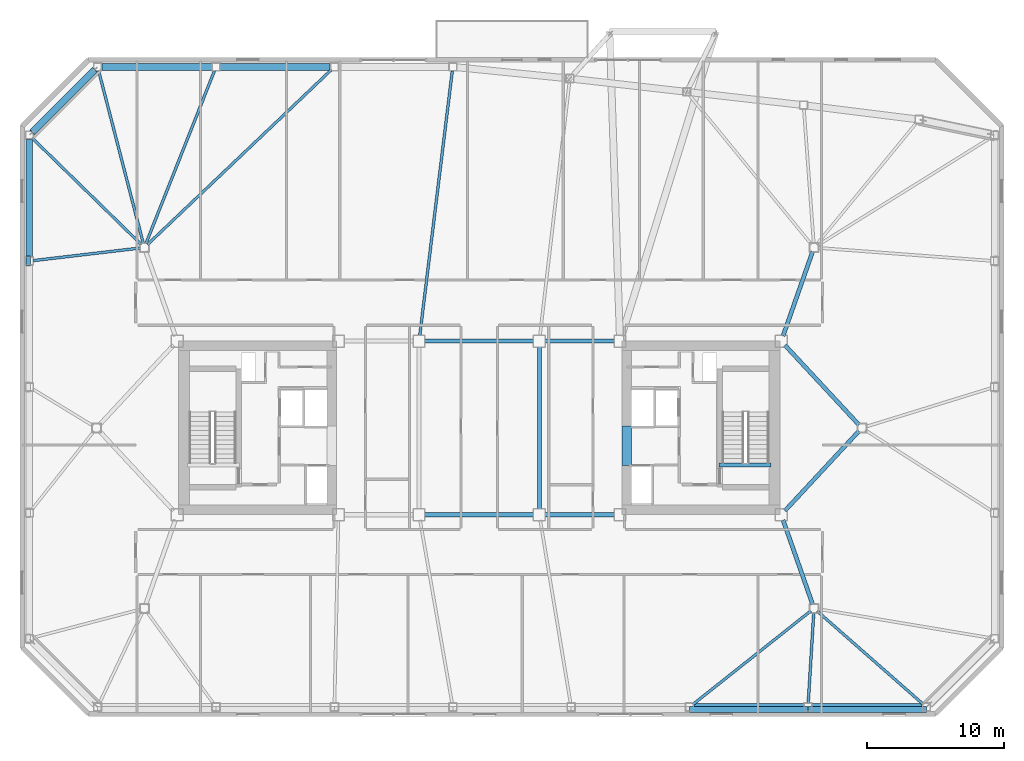
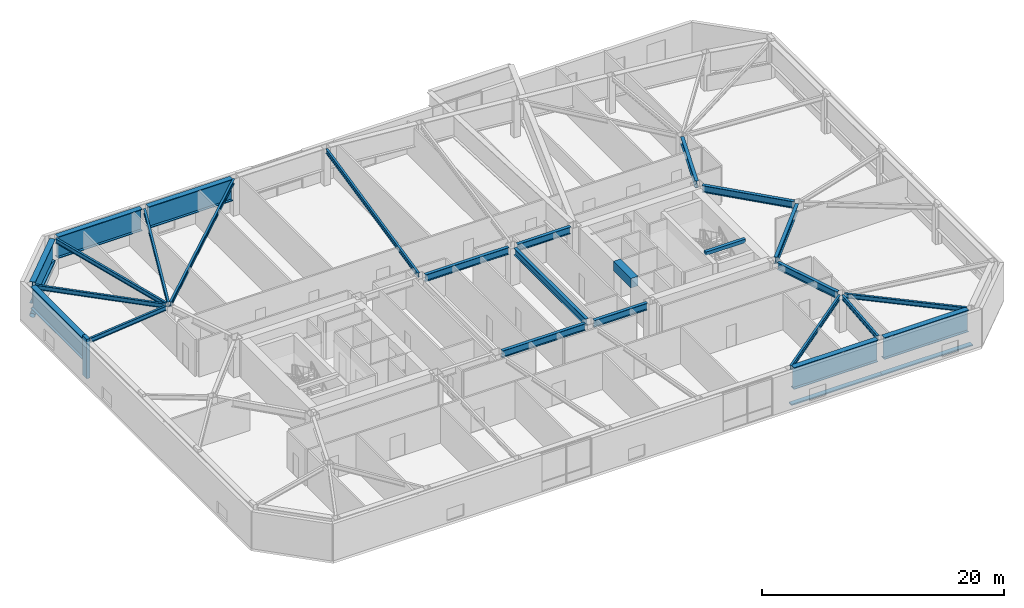
# One storey, part 5 of 19: 26 beams, 4 members.
"""IFC4 building model written with IfcOpenShell, lengths in metres."""

import ifcopenshell
import ifcopenshell.guid

model = None  # the IFC model being written
_history = None  # IfcOwnerHistory: only IFC2X3 demands one
_inside = {}  # id of a spatial element -> (the spatial element, [elements in it])
_under = {}  # id of a project, library or spatial element -> (it, [spatial elements below it])
_declared = {}  # id of a project -> (the project, [libraries it declares])
_typed = {}  # id of a type object -> (the type object, [elements of that type])
_made_of = {}  # id of a material, layer set ... -> (it, [elements and type objects made of it])


def new_model(schema):
    """Start an empty IFC model of exactly this schema.

    Asked for "IFC4X3", IfcOpenShell would pick the latest addendum, in which some entities
    have other attributes; the version numbers below select the first issue.
    IFC2X3 requires an IfcOwnerHistory on every rooted entity: one is made here for all.
    """
    global model, _history
    if schema == "IFC4X3":
        model = ifcopenshell.file(schema_version=(4, 3, 0, 0))
    else:
        model = ifcopenshell.file(schema=schema)
    _inside.clear()
    _under.clear()
    _declared.clear()
    _typed.clear()
    _made_of.clear()
    _history = None
    if model.schema == "IFC2X3":
        org = make("IfcOrganization", Name="unknown")
        user = make(
            "IfcPersonAndOrganization",
            ThePerson=make("IfcPerson", FamilyName="unknown"),
            TheOrganization=org,
        )
        app = make(
            "IfcApplication",
            ApplicationDeveloper=org,
            Version="unknown",
            ApplicationFullName="unknown",
            ApplicationIdentifier="unknown",
        )
        _history = make(
            "IfcOwnerHistory",
            OwningUser=user,
            OwningApplication=app,
            ChangeAction="ADDED",
            CreationDate=0,
        )
    return model


def make(cls, **values):
    """One entity of the class cls with the attributes given. An attribute that is None is left unset."""
    return model.create_entity(
        cls, **{name: value for name, value in values.items() if value is not None}
    )


def rooted(cls, **values):
    """An entity with a GlobalId (a new one), such as an element, a storey or a relation."""
    return make(cls, GlobalId=ifcopenshell.guid.new(), OwnerHistory=_history, **values)


def si_unit(unit_type, name, prefix=None):
    """IfcSIUnit, for example si_unit("LENGTHUNIT", "METRE", prefix="MILLI")."""
    return make("IfcSIUnit", UnitType=unit_type, Prefix=prefix, Name=name)


def assignment(units):
    """IfcUnitAssignment: the units of a project."""
    return None if units is None else make("IfcUnitAssignment", Units=units)


def point(xyz):
    """IfcCartesianPoint."""
    return None if xyz is None else make("IfcCartesianPoint", Coordinates=xyz)


def direction(xyz):
    """IfcDirection."""
    return None if xyz is None else make("IfcDirection", DirectionRatios=xyz)


def frame(location, z_axis=None, x_axis=None):
    """IfcAxis2Placement3D, a coordinate frame: its origin and axes. An axis left out is left unset."""
    return make(
        "IfcAxis2Placement3D",
        Location=point(location),
        Axis=direction(z_axis),
        RefDirection=direction(x_axis),
    )


def frame_2d(location, x_axis=None):
    """IfcAxis2Placement2D, a coordinate frame in the plane: its origin and x axis."""
    return make(
        "IfcAxis2Placement2D", Location=point(location), RefDirection=direction(x_axis)
    )


def origin():
    """The frame at (0, 0, 0) with its axes left unset."""
    return frame((0.0, 0.0, 0.0))


def origin_2d():
    """The frame at (0, 0) in the plane with its x axis left unset."""
    return frame_2d((0.0, 0.0))


def place(relative_to, where):
    """IfcLocalPlacement: puts the frame where relative to a parent placement (None: the world)."""
    return make(
        "IfcLocalPlacement", PlacementRelTo=relative_to, RelativePlacement=where
    )


def context(
    kind, dimensions, precision=None, world=None, true_north=None, identifier=None
):
    """IfcGeometricRepresentationContext, for example the 3D "Model" context."""
    return make(
        "IfcGeometricRepresentationContext",
        ContextIdentifier=identifier,
        ContextType=kind,
        CoordinateSpaceDimension=dimensions,
        Precision=precision,
        WorldCoordinateSystem=world,
        TrueNorth=true_north,
    )


def subcontext(parent, identifier, kind, view, scale=None):
    """IfcGeometricRepresentationSubContext, for example "Body" below "Model"."""
    return make(
        "IfcGeometricRepresentationSubContext",
        ContextIdentifier=identifier,
        ContextType=kind,
        ParentContext=parent,
        TargetScale=scale,
        TargetView=view,
    )


def project(units=None, contexts=None):
    """IfcProject with its units and contexts."""
    return rooted(
        "IfcProject",
        Name="project",
        RepresentationContexts=contexts,
        UnitsInContext=assignment(units),
    )


def spatial(cls, under=None, at=None, **own):
    """A site, building, storey or space (cls), placed at a placement, below another one or the project."""
    s = rooted(cls, ObjectPlacement=at, **own)
    if under is not None:
        _under.setdefault(under.id(), (under, []))[1].append(s)
    return s


def profile(cls, at=None, kind="AREA", **sizes):
    """A parametric profile (cls). Its sizes go by their IFC names, for example OverallWidth=200.0."""
    return make(cls, ProfileType=kind, Position=at, **sizes)


def rectangle(**sizes):
    """IfcRectangleProfileDef."""
    return profile("IfcRectangleProfileDef", **sizes)


def hollow_circle(**sizes):
    """IfcCircleHollowProfileDef."""
    return profile("IfcCircleHollowProfileDef", **sizes)


def i_section(**sizes):
    """IfcIShapeProfileDef."""
    return profile("IfcIShapeProfileDef", **sizes)


def extrude(swept, where, along, depth):
    """IfcExtrudedAreaSolid: the profile swept, set in the frame where, extruded along a direction by depth."""
    return make(
        "IfcExtrudedAreaSolid",
        SweptArea=swept,
        Position=where,
        ExtrudedDirection=direction(along),
        Depth=depth,
    )


def shape(context_of_items, identifier, shape_type, items):
    """IfcShapeRepresentation: the items that make up one representation, for example the "Body"."""
    return make(
        "IfcShapeRepresentation",
        ContextOfItems=context_of_items,
        RepresentationIdentifier=identifier,
        RepresentationType=shape_type,
        Items=items,
    )


def material(Name=None, Category=None):
    """IfcMaterial."""
    return make("IfcMaterial", Name=Name, Category=Category)


def material_profile(
    of_material, cross_section, Name=None, Category=None, Priority=None
):
    """IfcMaterialProfile: a cross section and its material."""
    return make(
        "IfcMaterialProfile",
        Name=Name,
        Material=of_material,
        Profile=cross_section,
        Priority=Priority,
        Category=Category,
    )


def profile_set(profiles, Name=None, composite=None):
    """IfcMaterialProfileSet."""
    return make(
        "IfcMaterialProfileSet",
        Name=Name,
        MaterialProfiles=profiles,
        CompositeProfile=composite,
    )


def made_of(thing, what):
    """Note that an element or type object is made of a material, layer set ...; save() writes the relation."""
    if what is not None:
        _made_of.setdefault(what.id(), (what, []))[1].append(thing)
    return thing


def type_object(cls, material=None, **own):
    """A type object (cls), such as IfcWallType, which elements share."""
    return made_of(rooted(cls, **own), material)


def element(
    cls,
    number,
    at=None,
    inside=None,
    cuts=None,
    type_object=None,
    material=None,
    context=None,
    identifier="Body",
    shape_type=None,
    held_by="IfcProductDefinitionShape",
    body=None,
    shapes=None,
    **own,
):
    """One element of the class cls, such as IfcWall. Its Tag is "e" and its number.

    at: its placement. inside: the storey or other place that contains it. cuts: it is an
    opening in that element (IfcRelVoidsElement). A single representation is given by context,
    identifier, shape_type and body (its items); several are given by shapes. held_by: the class
    of the entity that holds the representations. save() writes the other relations.
    """
    e = rooted(cls, Tag="e%d" % number, ObjectPlacement=at, **own)
    if body is not None:
        shapes = [shape(context, identifier, shape_type, body)]
    if shapes is not None:
        e.Representation = make(held_by, Representations=shapes)
    if inside is not None:
        _inside.setdefault(inside.id(), (inside, []))[1].append(e)
    if cuts is not None:
        rooted(
            "IfcRelVoidsElement", RelatingBuildingElement=cuts, RelatedOpeningElement=e
        )
    if type_object is not None:
        _typed.setdefault(type_object.id(), (type_object, []))[1].append(e)
    return made_of(e, material)


def aggregate(whole, parts):
    """IfcRelAggregates: a whole, such as a stair, and the parts it consists of."""
    return rooted("IfcRelAggregates", RelatingObject=whole, RelatedObjects=parts)


def save(model, path):
    """Write the relations noted so far, then the file.

    IfcRelAggregates (storeys below a building ...), IfcRelContainedInSpatialStructure (elements
    in a storey), IfcRelDefinesByType, IfcRelAssociatesMaterial and IfcRelDeclares: one each for
    every whole, place, type object, material and project.
    """
    for whole, parts in _under.values():
        aggregate(whole, parts)
    for where, things in _inside.values():
        rooted(
            "IfcRelContainedInSpatialStructure",
            RelatedElements=things,
            RelatingStructure=where,
        )
    for kind, things in _typed.values():
        rooted("IfcRelDefinesByType", RelatedObjects=things, RelatingType=kind)
    for what, things in _made_of.values():
        rooted("IfcRelAssociatesMaterial", RelatedObjects=things, RelatingMaterial=what)
    for by, libraries in _declared.values():
        rooted("IfcRelDeclares", RelatingContext=by, RelatedDefinitions=libraries)
    model.write(path)


model = new_model("IFC4")

# Units and contexts
model_context = context("Model", 3, precision=1e-05, world=origin(), true_north=direction((0.0, 1.0)))
body_context = subcontext(model_context, "Body", "Model", "MODEL_VIEW")
ifc_project = project(units=[si_unit("LENGTHUNIT", "METRE"), si_unit("AREAUNIT", "SQUARE_METRE"), si_unit("VOLUMEUNIT", "CUBIC_METRE"), si_unit("PLANEANGLEUNIT", "RADIAN"), si_unit("MASSUNIT", "GRAM", prefix="KILO")], contexts=[model_context])

# Site, building, storey
site_placement = place(None, origin())
site = spatial("IfcSite", under=ifc_project, at=site_placement, CompositionType="ELEMENT")
building_placement = place(site_placement, origin())
building = spatial("IfcBuilding", under=site, at=building_placement, Name="Tavrogorsk Clinical Tower", CompositionType="ELEMENT")
storey_placement = place(building_placement, frame((0.0, 0.0, 172.199951171875)))
storey = spatial("IfcBuildingStorey", under=building, at=storey_placement, Name="L39", CompositionType="ELEMENT", Elevation=172.199951171875)

# Members
ifc_material_1 = material(Name="Anodised aluminium alloy AW-6063", Category="aluminium")
ifc_material_profile_1 = material_profile(ifc_material_1, rectangle(XDim=0.449951171875, YDim=0.1201171875, at=origin_2d()), Name="ALU-SUNSHADE-450x120")
ifc_profile_set_1 = profile_set([ifc_material_profile_1], Name="Anodised aluminium alloy AW-6063")
member_type_1 = type_object("IfcMemberType", Name="ChicagoSunshade_450x120", PredefinedType="USERDEFINED", material=ifc_profile_set_1)
for number, where, z_axis, x_axis, name in (
    (1, (15.394287109375, -20.60009765625, 0.179931640625), (1.0, 0.0, 0.0), (0.0, 1.0, 0.0), "L39 South Aluminium Sunshade S6"),
    (2, (24.05712890625, -20.60009765625, 0.179931640625), (1.0, 0.0, 0.0), (0.0, 1.0, 0.0), "L39 South Aluminium Sunshade S7"),
):
    element("IfcMember", number, at=place(storey_placement, frame(where, z_axis=z_axis, x_axis=x_axis)), inside=storey, type_object=member_type_1, Name=name, ObjectType="SUNSHADE", PredefinedType="USERDEFINED", context=body_context, shape_type="SweptSolid", body=[
        extrude(rectangle(XDim=0.449951171875, YDim=0.1201171875, at=origin_2d()), origin(), (0.0, 0.0, 1.0), 8.662841796875),
    ])

# Beam
ifc_material_2 = material(Name="Concrete B80", Category="concrete")
ifc_material_profile_2 = material_profile(ifc_material_2, rectangle(XDim=0.699951171875, YDim=0.949951171875, at=origin_2d()), Name="RC-CB-700x950")
ifc_profile_set_2 = profile_set([ifc_material_profile_2], Name="Concrete B80")
beam_type_1 = type_object("IfcBeamType", Name="CouplingBeam_RC700x950", PredefinedType="LINTEL", material=ifc_profile_set_2)
beam_1_placement = place(storey_placement, frame((10.800048828125, -2.75, 3.26513671875), z_axis=(0.0, 1.0, 0.0), x_axis=(-1.0, 0.0, 0.0)))
element("IfcBeam", 3, at=beam_1_placement, inside=storey, type_object=beam_type_1, Name="L39 Core East Coupling Beam", PredefinedType="LINTEL", context=body_context, shape_type="SweptSolid", body=[
    extrude(rectangle(XDim=0.699951171875, YDim=0.949951171875, at=origin_2d()), origin(), (0.0, 0.0, 1.0), 2.89990234375),
])

# Member
ifc_material_3 = material(Name="Structural steel S440", Category="steel")
ifc_material_profile_3 = material_profile(ifc_material_3, hollow_circle(Radius=0.25390625, WallThickness=0.02001953125, at=origin_2d()), Name="CHS-508x20")
ifc_profile_set_3 = profile_set([ifc_material_profile_3], Name="Structural steel S440")
member_type_2 = type_object("IfcMemberType", Name="ExoBrace_CHS508", PredefinedType="BRACE", material=ifc_profile_set_3)
member_1_placement = place(storey_placement, frame((-32.705322265625, 21.634765625, 0.35107421875), z_axis=(0.697299508861, 0.697299508861, 0.165972256369), x_axis=(-0.707106781187, 0.707106781187, 0.0)))
element("IfcMember", 4, at=member_1_placement, inside=storey, type_object=member_type_2, Name="L39 Corner Exoskeleton Brace N8-W1", PredefinedType="BRACE", context=body_context, shape_type="SweptSolid", body=[
    extrude(hollow_circle(Radius=0.25390625, WallThickness=0.02001953125, at=origin_2d()), origin(), (0.0, 0.0, 1.0), 6.5546875),
])

# Beams
ifc_material_4 = material(Name="Structural steel S355", Category="steel")
ifc_material_profile_4 = material_profile(ifc_material_4, i_section(OverallWidth=0.199951171875, OverallDepth=0.449951171875, WebThickness=0.011474609375, FlangeThickness=0.01806640625, at=origin_2d()), Name="B-450x200x11.5x18")
ifc_profile_set_4 = profile_set([ifc_material_profile_4], Name="Structural steel S355")
beam_type_2 = type_object("IfcBeamType", Name="FloorBeam_B450", PredefinedType="BEAM", material=ifc_profile_set_4)
beam_2_placement = place(storey_placement, frame((24.257080078125, -13.392578125, 3.51513671875), z_axis=(-0.783561002819, -0.621314859682, 0.0), x_axis=(0.621314859682, -0.783561002819, 0.0)))
element("IfcBeam", 5, at=beam_2_placement, inside=storey, type_object=beam_type_2, Name="L39 Radial Floor Beam S6", PredefinedType="BEAM", context=body_context, shape_type="SweptSolid", body=[
    extrude(i_section(OverallWidth=0.199951171875, OverallDepth=0.449951171875, WebThickness=0.011474609375, FlangeThickness=0.01806640625, at=origin_2d()), origin(), (0.0, 0.0, 1.0), 11.002685546875),
])
beam_3_placement = place(storey_placement, frame((24.48095703125, -13.509521484375, 3.51513671875), z_axis=(-0.061224865528, -0.998123998229, 0.0), x_axis=(0.998123998229, -0.061224865528, 0.0)))
element("IfcBeam", 6, at=beam_3_placement, inside=storey, type_object=beam_type_2, Name="L39 Radial Floor Beam S7", PredefinedType="BEAM", context=body_context, shape_type="SweptSolid", body=[
    extrude(i_section(OverallWidth=0.199951171875, OverallDepth=0.449951171875, WebThickness=0.011474609375, FlangeThickness=0.01806640625, at=origin_2d()), origin(), (0.0, 0.0, 1.0), 6.615478515625),
])
beam_4_placement = place(storey_placement, frame((24.73291015625, -13.404541015625, 3.51513671875), z_axis=(0.751322664981, -0.659935037019, 0.0), x_axis=(0.659935037019, 0.751322664981, 0.0)))
element("IfcBeam", 7, at=beam_4_placement, inside=storey, type_object=beam_type_2, Name="L39 Radial Floor Beam S8", PredefinedType="BEAM", context=body_context, shape_type="SweptSolid", body=[
    extrude(i_section(OverallWidth=0.199951171875, OverallDepth=0.449951171875, WebThickness=0.011474609375, FlangeThickness=0.01806640625, at=origin_2d()), origin(), (0.0, 0.0, 1.0), 10.322509765625),
])
beam_5_placement = place(storey_placement, frame((-4.349853515625, 6.7568359375, 3.51513671875), z_axis=(0.122074764034, 0.992520907581, 0.0), x_axis=(-0.992520907581, 0.122074764034, 0.0)))
element("IfcBeam", 8, at=beam_5_placement, inside=storey, type_object=beam_type_2, Name="L39 Radial Floor Beam N5", PredefinedType="BEAM", context=body_context, shape_type="SweptSolid", body=[
    extrude(i_section(OverallWidth=0.199951171875, OverallDepth=0.449951171875, WebThickness=0.011474609375, FlangeThickness=0.01806640625, at=origin_2d()), origin(), (0.0, 0.0, 1.0), 19.503173828125),
])
beam_6_placement = place(storey_placement, frame((-24.275390625, 13.41357421875, 3.51513671875), z_axis=(0.724748919983, 0.689013064451, 0.0), x_axis=(-0.689013064451, 0.724748919983, 0.0)))
element("IfcBeam", 9, at=beam_6_placement, inside=storey, type_object=beam_type_2, Name="L39 Radial Floor Beam N6", PredefinedType="BEAM", context=body_context, shape_type="SweptSolid", body=[
    extrude(i_section(OverallWidth=0.199951171875, OverallDepth=0.449951171875, WebThickness=0.011474609375, FlangeThickness=0.01806640625, at=origin_2d()), origin(), (0.0, 0.0, 1.0), 18.56884765625),
])
beam_7_placement = place(storey_placement, frame((-24.3857421875, 13.48828125, 3.51513671875), z_axis=(0.368659944508, 0.929564330918, 0.0), x_axis=(-0.929564330918, 0.368659944508, 0.0)))
element("IfcBeam", 10, at=beam_7_placement, inside=storey, type_object=beam_type_2, Name="L39 Radial Floor Beam N7", PredefinedType="BEAM", context=body_context, shape_type="SweptSolid", body=[
    extrude(i_section(OverallWidth=0.199951171875, OverallDepth=0.449951171875, WebThickness=0.011474609375, FlangeThickness=0.01806640625, at=origin_2d()), origin(), (0.0, 0.0, 1.0), 13.603759765625),
])
beam_8_placement = place(storey_placement, frame((-24.57763671875, 13.5, 3.51513671875), z_axis=(-0.250445465048, 0.968130708653, 0.0), x_axis=(-0.968130708653, -0.250445465048, 0.0)))
element("IfcBeam", 11, at=beam_8_placement, inside=storey, type_object=beam_type_2, Name="L39 Radial Floor Beam N8", PredefinedType="BEAM", context=body_context, shape_type="SweptSolid", body=[
    extrude(i_section(OverallWidth=0.199951171875, OverallDepth=0.449951171875, WebThickness=0.011474609375, FlangeThickness=0.01806640625, at=origin_2d()), origin(), (0.0, 0.0, 1.0), 13.037353515625),
])
beam_9_placement = place(storey_placement, frame((-24.721923828125, 13.41650390625, 3.51513671875), z_axis=(-0.715552053538, 0.698559416712, 0.0), x_axis=(-0.698559416712, -0.715552053538, 0.0)))
element("IfcBeam", 12, at=beam_9_placement, inside=storey, type_object=beam_type_2, Name="L39 Radial Floor Beam W1", PredefinedType="BEAM", context=body_context, shape_type="SweptSolid", body=[
    extrude(i_section(OverallWidth=0.199951171875, OverallDepth=0.449951171875, WebThickness=0.011474609375, FlangeThickness=0.01806640625, at=origin_2d()), origin(), (0.0, 0.0, 1.0), 11.149169921875),
])
beam_10_placement = place(storey_placement, frame((-24.807861328125, 13.163818359375, 3.51513671875), z_axis=(-0.993156539687, -0.116790785927, 0.0), x_axis=(0.116790785927, -0.993156539687, 0.0)))
element("IfcBeam", 13, at=beam_10_placement, inside=storey, type_object=beam_type_2, Name="L39 Radial Floor Beam W2", PredefinedType="BEAM", context=body_context, shape_type="SweptSolid", body=[
    extrude(i_section(OverallWidth=0.199951171875, OverallDepth=0.449951171875, WebThickness=0.011474609375, FlangeThickness=0.01806640625, at=origin_2d()), origin(), (0.0, 0.0, 1.0), 7.85986328125),
])

# Member
ifc_material_5 = material(Name="Precast concrete B45 with limestone cladding", Category="masonry")
ifc_material_profile_5 = material_profile(ifc_material_5, rectangle(XDim=0.320068359375, YDim=0.719970703125, at=origin_2d()), Name="LIMESTONE-FIN-320x720")
ifc_profile_set_5 = profile_set([ifc_material_profile_5], Name="Precast concrete B45 with limestone cladding")
member_type_3 = type_object("IfcMemberType", Name="LimestonePleatFin_320x720", PredefinedType="USERDEFINED", material=ifc_profile_set_5)
member_2_placement = place(storey_placement, frame((-33.0, 12.2099609375, 0.0), z_axis=(0.0, 0.0, 1.0), x_axis=(1.0, 0.0, 0.0)))
element("IfcMember", 14, at=member_2_placement, inside=storey, type_object=member_type_3, Name="L39 W Pleated Stone Fin 1", ObjectType="FIN", PredefinedType="USERDEFINED", context=body_context, shape_type="SweptSolid", body=[
    extrude(rectangle(XDim=0.320068359375, YDim=0.719970703125, at=origin_2d()), origin(), (0.0, 0.0, 1.0), 4.0),
])

# Beams
ifc_material_6 = material(Name="Structural steel S390", Category="steel")
ifc_material_profile_6 = material_profile(ifc_material_6, i_section(OverallWidth=0.300048828125, OverallDepth=0.699951171875, WebThickness=0.01708984375, FlangeThickness=0.028076171875, at=origin_2d()), Name="B-700x300x17x28")
ifc_profile_set_6 = profile_set([ifc_material_profile_6], Name="Structural steel S390")
beam_type_3 = type_object("IfcBeamType", Name="PrimaryGirder_B700", PredefinedType="USERDEFINED", material=ifc_profile_set_6)
for number, where, z_axis, x_axis, name in (
    (15, (-3.989990234375, -6.35009765625, 3.39013671875), (1.0, 0.0, 0.0), (0.0, 1.0, 0.0), "L39 Primary Spine Girder MG-03"),
    (16, (-3.989990234375, 6.35009765625, 3.39013671875), (1.0, 0.0, 0.0), (0.0, 1.0, 0.0), "L39 Primary Spine Girder MG-04"),
):
    element("IfcBeam", number, at=place(storey_placement, frame(where, z_axis=z_axis, x_axis=x_axis)), inside=storey, type_object=beam_type_3, Name=name, ObjectType="GIRDER", PredefinedType="USERDEFINED", context=body_context, shape_type="SweptSolid", body=[
        extrude(i_section(OverallWidth=0.300048828125, OverallDepth=0.699951171875, WebThickness=0.01708984375, FlangeThickness=0.028076171875, at=origin_2d()), origin(), (0.0, 0.0, 1.0), 7.97998046875),
    ])
for number, where, z_axis, x_axis, name in (
    (17, (4.81005859375, -6.35009765625, 3.39013671875), (1.0, 0.0, 0.0), (0.0, 1.0, 0.0), "L39 Primary Spine Girder MG-05"),
    (18, (4.81005859375, 6.35009765625, 3.39013671875), (1.0, 0.0, 0.0), (0.0, 1.0, 0.0), "L39 Primary Spine Girder MG-06"),
):
    element("IfcBeam", number, at=place(storey_placement, frame(where, z_axis=z_axis, x_axis=x_axis)), inside=storey, type_object=beam_type_3, Name=name, ObjectType="GIRDER", PredefinedType="USERDEFINED", context=body_context, shape_type="SweptSolid", body=[
        extrude(i_section(OverallWidth=0.300048828125, OverallDepth=0.699951171875, WebThickness=0.01708984375, FlangeThickness=0.028076171875, at=origin_2d()), origin(), (0.0, 0.0, 1.0), 5.079833984375),
    ])
beam_11_placement = place(storey_placement, frame((4.39990234375, -5.93994140625, 3.39013671875), z_axis=(0.0, 1.0, 0.0), x_axis=(-1.0, 0.0, 0.0)))
element("IfcBeam", 19, at=beam_11_placement, inside=storey, type_object=beam_type_3, Name="L39 Primary Spine Girder MG-08", ObjectType="GIRDER", PredefinedType="USERDEFINED", context=body_context, shape_type="SweptSolid", body=[
    extrude(i_section(OverallWidth=0.300048828125, OverallDepth=0.699951171875, WebThickness=0.01708984375, FlangeThickness=0.028076171875, at=origin_2d()), origin(), (0.0, 0.0, 1.0), 11.8798828125),
])
for number, where, z_axis, x_axis, name in (
    (20, (24.3974609375, -12.907470703125, 3.39013671875), (-0.33065312634, 0.94375235631, 0.0), (-0.94375235631, -0.33065312634, 0.0), "L39 Spine Link Girder OPG-2"),
    (21, (24.3974609375, 12.907470703125, 3.39013671875), (-0.33065312634, -0.94375235631, 0.0), (0.94375235631, -0.33065312634, 0.0), "L39 Spine Link Girder OPG-4"),
):
    element("IfcBeam", number, at=place(storey_placement, frame(where, z_axis=z_axis, x_axis=x_axis)), inside=storey, type_object=beam_type_3, Name=name, ObjectType="GIRDER", PredefinedType="USERDEFINED", context=body_context, shape_type="SweptSolid", body=[
        extrude(i_section(OverallWidth=0.300048828125, OverallDepth=0.699951171875, WebThickness=0.01708984375, FlangeThickness=0.028076171875, at=origin_2d()), origin(), (0.0, 0.0, 1.0), 6.5380859375),
    ])
for number, where, z_axis, x_axis, name in (
    (22, (27.7890625, -0.22705078125, 3.39013671875), (-0.680673750312, -0.732586681312, 0.0), (0.732586681312, -0.680673750312, 0.0), "L39 Spine Link Girder OPG-7"),
    (23, (27.7890625, 0.22705078125, 3.39013671875), (-0.680673750312, 0.732586681312, 0.0), (-0.732586681312, -0.680673750312, 0.0), "L39 Spine Link Girder OPG-8"),
):
    element("IfcBeam", number, at=place(storey_placement, frame(where, z_axis=z_axis, x_axis=x_axis)), inside=storey, type_object=beam_type_3, Name=name, ObjectType="GIRDER", PredefinedType="USERDEFINED", context=body_context, shape_type="SweptSolid", body=[
        extrude(i_section(OverallWidth=0.300048828125, OverallDepth=0.699951171875, WebThickness=0.01708984375, FlangeThickness=0.028076171875, at=origin_2d()), origin(), (0.0, 0.0, 1.0), 7.947998046875),
    ])
ifc_material_7 = material(Name="Concrete B60", Category="concrete")
ifc_material_profile_7 = material_profile(ifc_material_7, rectangle(XDim=0.300048828125, YDim=0.35009765625, at=origin_2d()), Name="RC-SHB-300x350")
ifc_profile_set_7 = profile_set([ifc_material_profile_7], Name="Concrete B60")
beam_type_4 = type_object("IfcBeamType", Name="StairHeaderBeam_RC300x350", PredefinedType="BEAM", material=ifc_profile_set_7)
beam_12_placement = place(storey_placement, frame((17.550048828125, -2.719970703125, 3.824951171875), z_axis=(1.0, 0.0, 0.0), x_axis=(0.0, 1.0, 0.0)))
element("IfcBeam", 24, at=beam_12_placement, inside=storey, type_object=beam_type_4, Name="L40 ST-E Landing Header Beam", PredefinedType="BEAM", context=body_context, shape_type="SweptSolid", body=[
    extrude(rectangle(XDim=0.300048828125, YDim=0.35009765625, at=origin_2d()), origin(), (0.0, 0.0, 1.0), 3.800048828125),
])
ifc_material_8 = material(Name="Structural steel S440", Category="steel")
ifc_material_profile_8 = material_profile(ifc_material_8, i_section(OverallWidth=0.5, OverallDepth=2.199951171875, WebThickness=0.035888671875, FlangeThickness=0.054931640625, at=origin_2d()), Name="DK-2200x500x36x55")
ifc_profile_set_8 = profile_set([ifc_material_profile_8], Name="Structural steel S440")
beam_type_5 = type_object("IfcBeamType", Name="TransferGirder_DK2200", PredefinedType="USERDEFINED", material=ifc_profile_set_8)
beam_13_placement = place(storey_placement, frame((15.702392578125, -20.419921875, 2.64013671875), z_axis=(1.0, 0.0, 0.0), x_axis=(0.0, 1.0, 0.0)))
element("IfcBeam", 25, at=beam_13_placement, inside=storey, type_object=beam_type_5, Name="L39 Perimeter Spandrel S6-S7", ObjectType="GIRDER", PredefinedType="USERDEFINED", context=body_context, shape_type="SweptSolid", body=[
    extrude(i_section(OverallWidth=0.5, OverallDepth=2.199951171875, WebThickness=0.035888671875, FlangeThickness=0.054931640625, at=origin_2d()), origin(), (0.0, 0.0, 1.0), 8.046630859375),
])
beam_14_placement = place(storey_placement, frame((24.364990234375, -20.419921875, 2.64013671875), z_axis=(1.0, 0.0, 0.0), x_axis=(0.0, 1.0, 0.0)))
element("IfcBeam", 26, at=beam_14_placement, inside=storey, type_object=beam_type_5, Name="L39 Perimeter Spandrel S7-S8", ObjectType="GIRDER", PredefinedType="USERDEFINED", context=body_context, shape_type="SweptSolid", body=[
    extrude(i_section(OverallWidth=0.5, OverallDepth=2.199951171875, WebThickness=0.035888671875, FlangeThickness=0.054931640625, at=origin_2d()), origin(), (0.0, 0.0, 1.0), 8.047119140625),
])
for number, where, z_axis, x_axis, name in (
    (27, (-10.90234375, 26.419921875, 2.64013671875), (-1.0, 0.0, 0.0), (0.0, -1.0, 0.0), "L39 Perimeter Spandrel N6-N7"),
    (28, (-19.565185546875, 26.419921875, 2.64013671875), (-1.0, 0.0, 0.0), (0.0, -1.0, 0.0), "L39 Perimeter Spandrel N7-N8"),
):
    element("IfcBeam", number, at=place(storey_placement, frame(where, z_axis=z_axis, x_axis=x_axis)), inside=storey, type_object=beam_type_5, Name=name, ObjectType="GIRDER", PredefinedType="USERDEFINED", context=body_context, shape_type="SweptSolid", body=[
        extrude(i_section(OverallWidth=0.5, OverallDepth=2.199951171875, WebThickness=0.035888671875, FlangeThickness=0.054931640625, at=origin_2d()), origin(), (0.0, 0.0, 1.0), 8.046875),
    ])
beam_15_placement = place(storey_placement, frame((-28.1376953125, 26.2021484375, 2.64013671875), z_axis=(-0.707106781187, -0.707106781187, 0.0), x_axis=(0.707106781187, -0.707106781187, 0.0)))
element("IfcBeam", 29, at=beam_15_placement, inside=storey, type_object=beam_type_5, Name="L39 Perimeter Spandrel N8-W1", ObjectType="GIRDER", PredefinedType="USERDEFINED", context=body_context, shape_type="SweptSolid", body=[
    extrude(i_section(OverallWidth=0.5, OverallDepth=2.199951171875, WebThickness=0.035888671875, FlangeThickness=0.054931640625, at=origin_2d()), origin(), (0.0, 0.0, 1.0), 6.455078125),
])
beam_16_placement = place(storey_placement, frame((-32.919921875, 21.112060546875, 2.64013671875), z_axis=(0.0, -1.0, 0.0), x_axis=(1.0, 0.0, 0.0)))
element("IfcBeam", 30, at=beam_16_placement, inside=storey, type_object=beam_type_5, Name="L39 Perimeter Spandrel W1-W2", ObjectType="GIRDER", PredefinedType="USERDEFINED", context=body_context, shape_type="SweptSolid", body=[
    extrude(i_section(OverallWidth=0.5, OverallDepth=2.199951171875, WebThickness=0.035888671875, FlangeThickness=0.054931640625, at=origin_2d()), origin(), (0.0, 0.0, 1.0), 8.593994140625),
])

save(model, "model.ifc")
